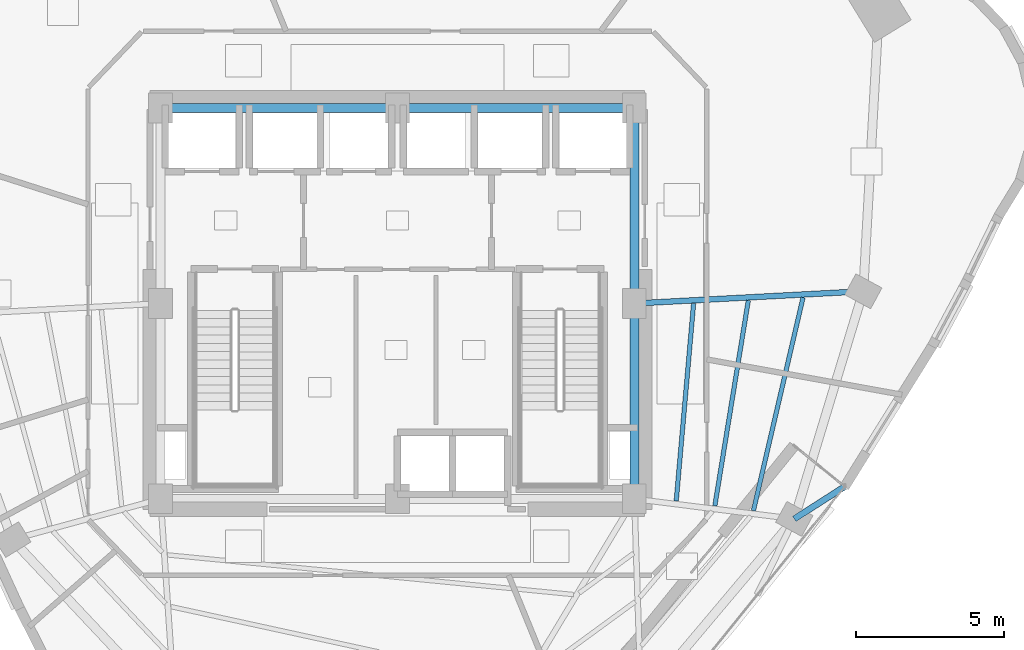
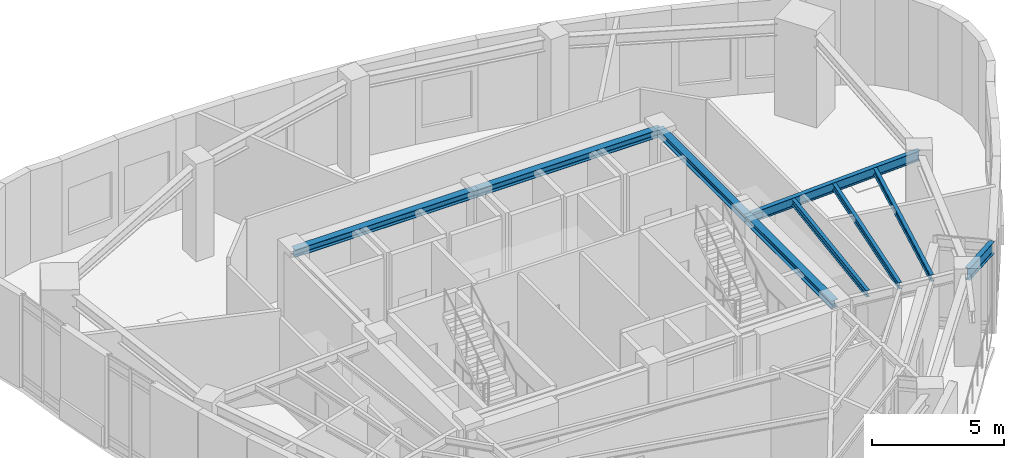
# One storey, part 5 of 14: 9 beams.
"""IFC4 building model written with IfcOpenShell, lengths in metres."""

from ifc_helpers import new_model, si_unit, direction, frame, origin, origin_2d, place, context, subcontext, project, spatial, i_section, extrude, material, material_profile, profile_set, type_object, element, save


model = new_model("IFC4")

# Units and contexts
model_context = context("Model", 3, precision=1e-05, world=origin(), true_north=direction((0.0, 1.0)))
body_context = subcontext(model_context, "Body", "Model", "MODEL_VIEW")
ifc_project = project(units=[si_unit("LENGTHUNIT", "METRE"), si_unit("AREAUNIT", "SQUARE_METRE"), si_unit("VOLUMEUNIT", "CUBIC_METRE"), si_unit("PLANEANGLEUNIT", "RADIAN"), si_unit("MASSUNIT", "GRAM", prefix="KILO")], contexts=[model_context])

# Site, building, storey
site_placement = place(None, origin())
site = spatial("IfcSite", under=ifc_project, at=site_placement, CompositionType="ELEMENT")
building_placement = place(site_placement, origin())
building = spatial("IfcBuilding", under=site, at=building_placement, Name="Ndelora Gate Hotel", CompositionType="ELEMENT")
storey_placement = place(building_placement, frame((0.0, 0.0, 178.25)))
storey = spatial("IfcBuildingStorey", under=building, at=storey_placement, Name="L44", CompositionType="ELEMENT", Elevation=178.25)

# Beams
ifc_material = material(Name="Steel S355", Category="steel")
ifc_material_profile_1 = material_profile(ifc_material, i_section(OverallWidth=0.300048828125, OverallDepth=0.35009765625, WebThickness=0.010009765625, FlangeThickness=0.017578125, FilletRadius=0.027099609375, at=origin_2d()), Name="HEA 360")
ifc_profile_set_1 = profile_set([ifc_material_profile_1], Name="Steel S355")
beam_type_1 = type_object("IfcBeamType", Name="BM-CORE-350", PredefinedType="BEAM", material=ifc_profile_set_1)
for number, where, z_axis, x_axis, name in (
    (1, (-8.0, 6.60009765625, 4.074951171875), (1.0, 0.0, 0.0), (0.0, 1.0, 0.0), "L44 Core Tie Girder CC7-CC6"),
    (2, (0.0, 6.60009765625, 4.074951171875), (1.0, 0.0, 0.0), (0.0, 1.0, 0.0), "L44 Core Tie Girder CC6-CC5"),
):
    element("IfcBeam", number, at=place(storey_placement, frame(where, z_axis=z_axis, x_axis=x_axis)), inside=storey, type_object=beam_type_1, Name=name, PredefinedType="BEAM", context=body_context, shape_type="SweptSolid", body=[
        extrude(i_section(OverallWidth=0.300048828125, OverallDepth=0.35009765625, WebThickness=0.010009765625, FlangeThickness=0.017578125, FilletRadius=0.027099609375, at=origin_2d()), origin(), (0.0, 0.0, 1.0), 8.0),
    ])
for number, where, z_axis, x_axis, name in (
    (3, (8.0, -6.60009765625, 4.074951171875), (0.0, 1.0, 0.0), (-1.0, 0.0, 0.0), "L44 Core Tie Girder CC3-CC4"),
    (4, (8.0, 0.0, 4.074951171875), (0.0, 1.0, 0.0), (-1.0, 0.0, 0.0), "L44 Core Tie Girder CC4-CC5"),
):
    element("IfcBeam", number, at=place(storey_placement, frame(where, z_axis=z_axis, x_axis=x_axis)), inside=storey, type_object=beam_type_1, Name=name, PredefinedType="BEAM", context=body_context, shape_type="SweptSolid", body=[
        extrude(i_section(OverallWidth=0.300048828125, OverallDepth=0.35009765625, WebThickness=0.010009765625, FlangeThickness=0.017578125, FilletRadius=0.027099609375, at=origin_2d()), origin(), (0.0, 0.0, 1.0), 6.60009765625),
    ])
ifc_material_profile_2 = material_profile(ifc_material, i_section(OverallWidth=0.14990234375, OverallDepth=0.300048828125, WebThickness=0.007080078125, FlangeThickness=0.0107421875, FilletRadius=0.014892578125, at=origin_2d()), Name="IPE 300")
ifc_profile_set_2 = profile_set([ifc_material_profile_2], Name="Steel S355")
beam_type_2 = type_object("IfcBeamType", Name="BM-JST-300", PredefinedType="JOIST", material=ifc_profile_set_2)
beam_1_placement = place(storey_placement, frame((9.413330078125, -6.671142578125, 4.10009765625), z_axis=(0.087643872384, 0.996151871771, 0.0), x_axis=(-0.996151871771, 0.087643872384, 0.0)))
element("IfcBeam", 5, at=beam_1_placement, inside=storey, type_object=beam_type_2, Name="L44 Secondary Composite Floor Joist IN-7", PredefinedType="JOIST", context=body_context, shape_type="SweptSolid", body=[
    extrude(i_section(OverallWidth=0.14990234375, OverallDepth=0.300048828125, WebThickness=0.007080078125, FlangeThickness=0.0107421875, FilletRadius=0.014892578125, at=origin_2d()), origin(), (0.0, 0.0, 1.0), 6.699462890625),
])
beam_2_placement = place(storey_placement, frame((10.717041015625, -6.834228515625, 4.10009765625), z_axis=(0.160939239626, 0.986964316046, 0.0), x_axis=(-0.986964316046, 0.160939239626, 0.0)))
element("IfcBeam", 6, at=beam_2_placement, inside=storey, type_object=beam_type_2, Name="L44 Secondary Composite Floor Joist MID-7", PredefinedType="JOIST", context=body_context, shape_type="SweptSolid", body=[
    extrude(i_section(OverallWidth=0.14990234375, OverallDepth=0.300048828125, WebThickness=0.007080078125, FlangeThickness=0.0107421875, FilletRadius=0.014892578125, at=origin_2d()), origin(), (0.0, 0.0, 1.0), 7.028076171875),
])
beam_3_placement = place(storey_placement, frame((12.02001953125, -6.997802734375, 4.10009765625), z_axis=(0.22674518397, 0.973954116756, 0.0), x_axis=(-0.973954116756, 0.22674518397, 0.0)))
element("IfcBeam", 7, at=beam_3_placement, inside=storey, type_object=beam_type_2, Name="L44 Secondary Composite Floor Joist OUT-7", PredefinedType="JOIST", context=body_context, shape_type="SweptSolid", body=[
    extrude(i_section(OverallWidth=0.14990234375, OverallDepth=0.300048828125, WebThickness=0.007080078125, FlangeThickness=0.0107421875, FilletRadius=0.014892578125, at=origin_2d()), origin(), (0.0, 0.0, 1.0), 7.392822265625),
])
ifc_material_profile_3 = material_profile(ifc_material, i_section(OverallWidth=0.18994140625, OverallDepth=0.449951171875, WebThickness=0.009521484375, FlangeThickness=0.0146484375, FilletRadius=0.02099609375, at=origin_2d()), Name="IPE 450")
ifc_profile_set_3 = profile_set([ifc_material_profile_3], Name="Steel S355")
beam_type_3 = type_object("IfcBeamType", Name="BM-RAD-450", PredefinedType="BEAM", material=ifc_profile_set_3)
beam_4_placement = place(storey_placement, frame((8.0, 0.0, 4.02490234375), z_axis=(0.998583554121, 0.053206065814, 0.0), x_axis=(-0.053206065814, 0.998583554121, 0.0)))
element("IfcBeam", 8, at=beam_4_placement, inside=storey, type_object=beam_type_3, Name="L44 Radial Floor Girder 8", PredefinedType="BEAM", context=body_context, shape_type="SweptSolid", body=[
    extrude(i_section(OverallWidth=0.18994140625, OverallDepth=0.449951171875, WebThickness=0.009521484375, FlangeThickness=0.0146484375, FilletRadius=0.02099609375, at=origin_2d()), origin(), (0.0, 0.0, 1.0), 7.740966796875),
])
ifc_material_profile_4 = material_profile(ifc_material, i_section(OverallWidth=0.2099609375, OverallDepth=0.550048828125, WebThickness=0.010986328125, FlangeThickness=0.01708984375, FilletRadius=0.02392578125, at=origin_2d()), Name="IPE 550")
ifc_profile_set_4 = profile_set([ifc_material_profile_4], Name="Steel S355")
beam_type_4 = type_object("IfcBeamType", Name="BM-RAD-550", PredefinedType="BEAM", material=ifc_profile_set_4)
beam_5_placement = place(storey_placement, frame((13.400390625, -7.275634765625, 3.97509765625), z_axis=(0.841953607385, 0.539549926337, 0.0), x_axis=(-0.539549926337, 0.841953607385, 0.0)))
element("IfcBeam", 9, at=beam_5_placement, inside=storey, type_object=beam_type_4, Name="L44 Sky-Garden Loggia Column Bracket 3", PredefinedType="BEAM", context=body_context, shape_type="SweptSolid", body=[
    extrude(i_section(OverallWidth=0.2099609375, OverallDepth=0.550048828125, WebThickness=0.010986328125, FlangeThickness=0.01708984375, FilletRadius=0.02392578125, at=origin_2d()), origin(), (0.0, 0.0, 1.0), 2.02392578125),
])

save(model, "model.ifc")
